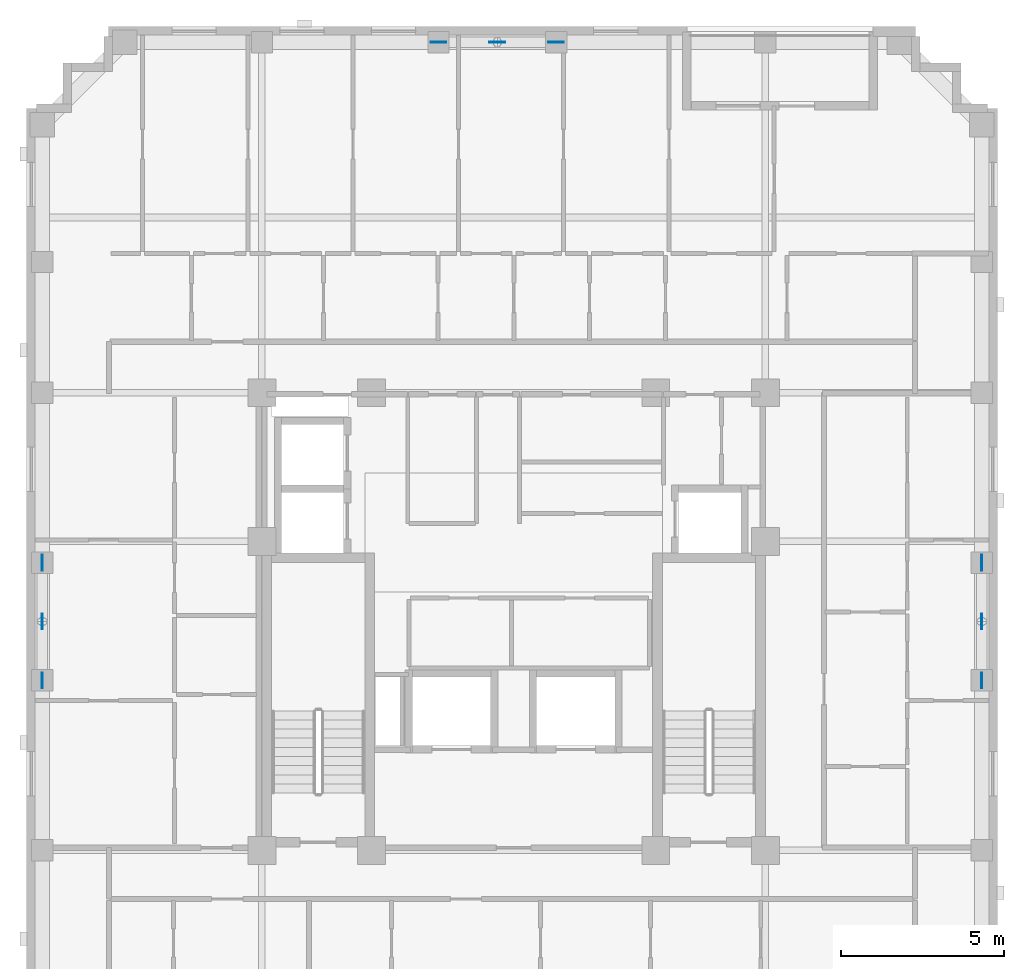
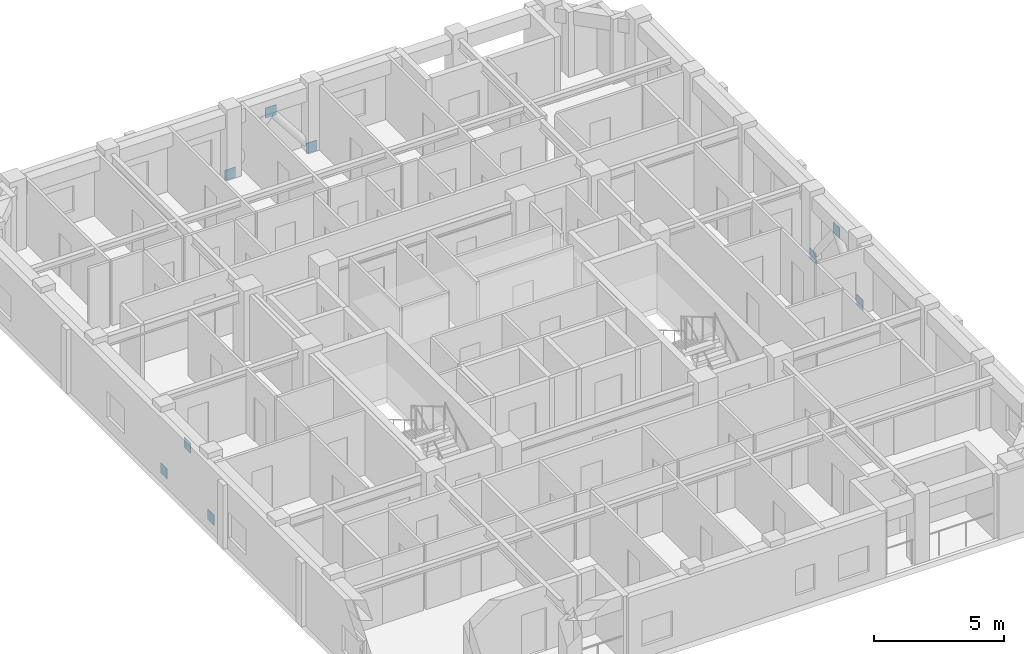
# One storey, part 9 of 11: 9 discrete accessories.
"""IFC4 building model written with IfcOpenShell, lengths in metres."""

from ifc_helpers import new_model, si_unit, derived_unit, direction, frame, origin, origin_2d, place, context, subcontext, project, spatial, rectangle, extrude, material, layer, layer_set, type_object, element, save


model = new_model("IFC4")

# Units and contexts
model_context = context("Model", 3, precision=1e-05, world=origin(), true_north=direction((0.0, 1.0)))
body_context = subcontext(model_context, "Body", "Model", "MODEL_VIEW")
ifc_project = project(units=[si_unit("LENGTHUNIT", "METRE"), si_unit("AREAUNIT", "SQUARE_METRE"), si_unit("VOLUMEUNIT", "CUBIC_METRE"), si_unit("PLANEANGLEUNIT", "RADIAN"), si_unit("MASSUNIT", "GRAM", prefix="KILO"), derived_unit("THERMALTRANSMITTANCEUNIT", [(si_unit("MASSUNIT", "GRAM", prefix="KILO"), 1), (si_unit("TIMEUNIT", "SECOND"), -3), (si_unit("THERMODYNAMICTEMPERATUREUNIT", "KELVIN"), -1)])], contexts=[model_context])

# Site, building, storey
site_placement = place(None, origin())
site = spatial("IfcSite", under=ifc_project, at=site_placement, CompositionType="ELEMENT")
building_placement = place(site_placement, origin())
building = spatial("IfcBuilding", under=site, at=building_placement, Name="Korrvale Station Residences", CompositionType="ELEMENT")
storey_placement = place(building_placement, frame((0.0, 0.0, 194.199951171875)))
storey = spatial("IfcBuildingStorey", under=building, at=storey_placement, Name="L56", CompositionType="ELEMENT", Elevation=194.199951171875)

# Discrete accessories
ifc_material = material(Name="Steel S355", Category="steel")
ifc_layer = layer(ifc_material, 0.02490234375, Name="Steel S355")
ifc_layer_set = layer_set([ifc_layer], Name="Steel S355")
discrete_accessory_type = type_object("IfcDiscreteAccessoryType", Name="ACC-GUSSET-25", PredefinedType="BRACKET", material=ifc_layer_set)
for number, where, z_axis, x_axis, name in (
    (1, (23.199951171875, 39.719970703125, -0.219970703125), (0.0, 0.0, 1.0), (1.0, 0.0, 0.0), "L56 N Brace End Gusset Connection A"),
    (2, (26.800048828125, 39.719970703125, -0.219970703125), (0.0, 0.0, 1.0), (1.0, 0.0, 0.0), "L56 N Brace End Gusset Connection B"),
    (3, (25.0, 39.719970703125, 2.070068359375), (0.0, 0.0, 1.0), (1.0, 0.0, 0.0), "L56 N Brace End Gusset Connection M"),
    (4, (11.080078125, 20.199951171875, -0.219970703125), (0.0, 0.0, 1.0), (0.0, 1.0, 0.0), "L56 W Brace End Gusset Connection A"),
    (5, (11.080078125, 23.800048828125, -0.219970703125), (0.0, 0.0, 1.0), (0.0, 1.0, 0.0), "L56 W Brace End Gusset Connection B"),
    (6, (11.080078125, 22.0, 2.070068359375), (0.0, 0.0, 1.0), (0.0, 1.0, 0.0), "L56 W Brace End Gusset Connection M"),
    (7, (39.820068359375, 20.199951171875, -0.219970703125), (0.0, 0.0, 1.0), (0.0, 1.0, 0.0), "L56 E Brace End Gusset Connection A"),
    (8, (39.820068359375, 23.800048828125, -0.219970703125), (0.0, 0.0, 1.0), (0.0, 1.0, 0.0), "L56 E Brace End Gusset Connection B"),
    (9, (39.820068359375, 22.0, 2.070068359375), (0.0, 0.0, 1.0), (0.0, 1.0, 0.0), "L56 E Brace End Gusset Connection M"),
):
    element("IfcDiscreteAccessory", number, at=place(storey_placement, frame(where, z_axis=z_axis, x_axis=x_axis)), inside=storey, type_object=discrete_accessory_type, Name=name, PredefinedType="BRACKET", context=body_context, shape_type="SweptSolid", body=[
        extrude(rectangle(XDim=0.47998046875, YDim=0.02490234375, at=origin_2d()), origin(), (0.0, 0.0, 1.0), 0.47998046875),
    ])

save(model, "model.ifc")
